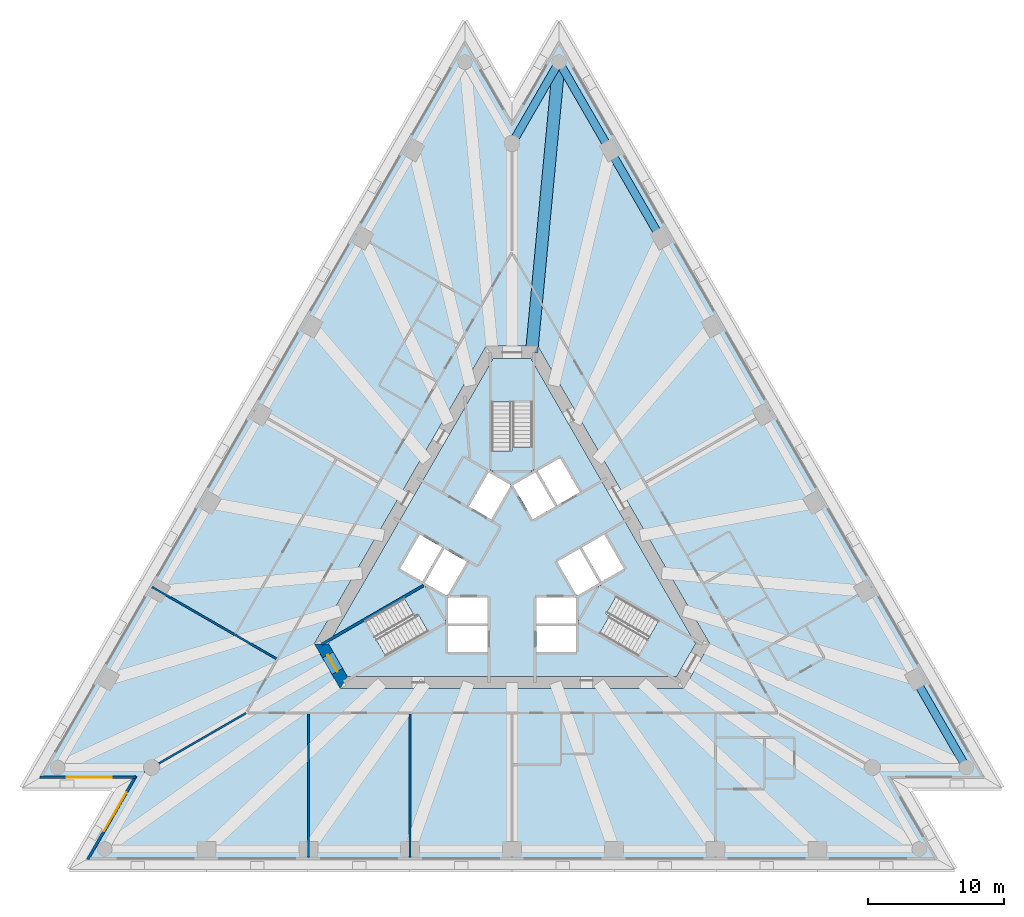
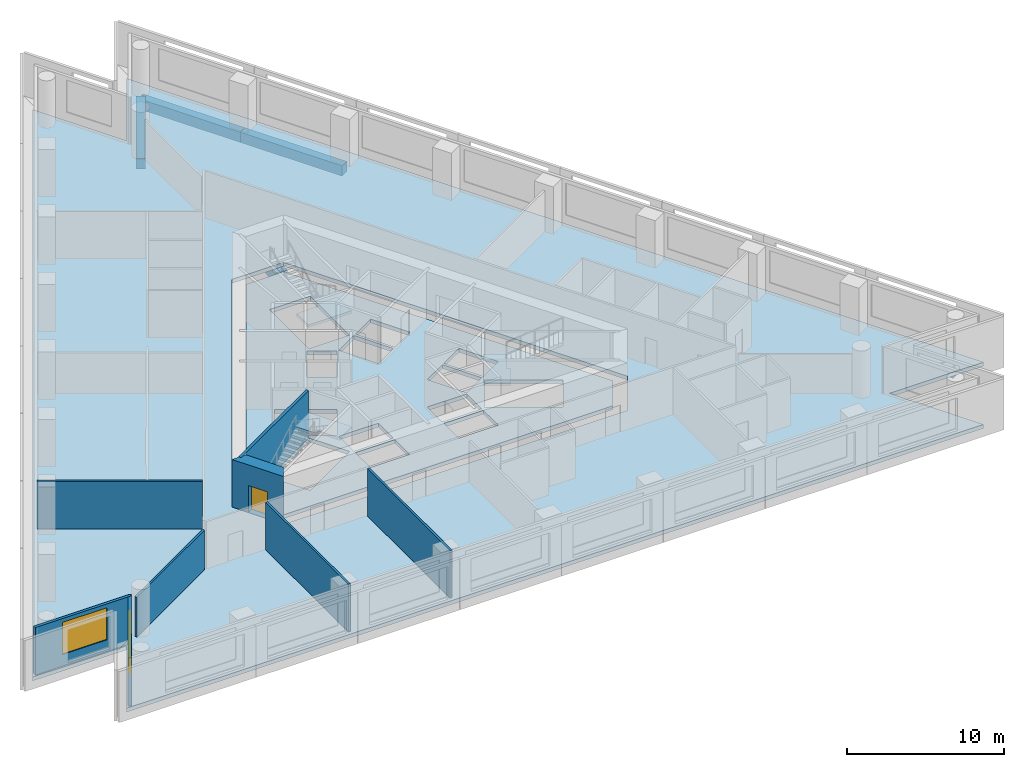
# One storey, part 2 of 9: 8 walls, 5 beams, 5 slabs, 2 windows, 1 door, 3 openings, 3 elements without a shape of their own.
"""IFC4 building model written with IfcOpenShell, lengths in metres."""

from ifc_helpers import new_model, si_unit, direction, frame, frame_2d, origin, origin_2d, place, context, subcontext, project, spatial, polyline, rectangle, outline, extrude, material, layer, layer_set, layer_usage, material_profile, profile_set, type_object, element, fill, aggregate, save


model = new_model("IFC4")

# Units and contexts
model_context = context("Model", 3, precision=1e-05, world=origin(), true_north=direction((0.0, 1.0)))
body_context = subcontext(model_context, "Body", "Model", "MODEL_VIEW")
ifc_project = project(units=[si_unit("LENGTHUNIT", "METRE"), si_unit("AREAUNIT", "SQUARE_METRE"), si_unit("VOLUMEUNIT", "CUBIC_METRE"), si_unit("PLANEANGLEUNIT", "RADIAN"), si_unit("MASSUNIT", "GRAM", prefix="KILO")], contexts=[model_context])

# Site, building, storey
site_placement = place(None, origin())
site = spatial("IfcSite", under=ifc_project, at=site_placement, CompositionType="ELEMENT")
building_placement = place(site_placement, origin())
building = spatial("IfcBuilding", under=site, at=building_placement, Name="Triada Interchange Tower", CompositionType="ELEMENT")
storey_placement = place(building_placement, frame((0.0, 0.0, 47.300048828125)))
storey = spatial("IfcBuildingStorey", under=building, at=storey_placement, Name="L09", CompositionType="ELEMENT", Elevation=47.300048828125)

# Beams
ifc_material_1 = material(Name="Concrete C50/60", Category="concrete")
ifc_material_profile_1 = material_profile(ifc_material_1, rectangle(XDim=0.89990234375, YDim=0.85009765625, at=origin_2d()), Name="RC 900x850")
ifc_profile_set_1 = profile_set([ifc_material_profile_1], Name="Concrete C50/60")
beam_type_1 = type_object("IfcBeamType", Name="Radial band beam A RC 900x850", PredefinedType="BEAM", material=ifc_profile_set_1)
beam_1_placement = place(storey_placement, frame((3.4619140625, 36.617919921875, -0.72509765625), z_axis=(-0.09411553587, -0.995561281844, 0.0), x_axis=(0.995561281844, -0.09411553587, 0.0)))
element("IfcBeam", 1, at=beam_1_placement, inside=storey, type_object=beam_type_1, Name="Radial band beam BA29 L09", PredefinedType="BEAM", context=body_context, shape_type="SweptSolid", body=[
    extrude(rectangle(XDim=0.89990234375, YDim=0.85009765625, at=origin_2d()), origin(), (0.0, 0.0, 1.0), 21.463134765625),
])
ifc_material_profile_2 = material_profile(ifc_material_1, rectangle(XDim=0.60009765625, YDim=0.800048828125, at=origin_2d()), Name="RC 600x800")
ifc_profile_set_2 = profile_set([ifc_material_profile_2], Name="Concrete C50/60")
beam_type_2 = type_object("IfcBeamType", Name="Spandrel beam A RC 600x800", PredefinedType="BEAM", material=ifc_profile_set_2)
beam_2_placement = place(storey_placement, frame((33.443115234375, -15.31103515625, -0.699951171875), z_axis=(-0.500048573981, 0.865997357767, 0.0), x_axis=(-0.865997357767, -0.500048573981, 0.0)))
element("IfcBeam", 2, at=beam_2_placement, inside=storey, type_object=beam_type_2, Name="Spandrel beam EA21 L09", PredefinedType="BEAM", context=body_context, shape_type="SweptSolid", body=[
    extrude(rectangle(XDim=0.60009765625, YDim=0.800048828125, at=origin_2d()), origin(), (0.0, 0.0, 1.0), 7.495361328125),
])
beam_3_placement = place(storey_placement, frame((10.95703125, 23.635986328125, -0.699951171875), z_axis=(-0.49995085413, 0.866053776307, 0.0), x_axis=(-0.866053776307, -0.49995085413, 0.0)))
element("IfcBeam", 3, at=beam_3_placement, inside=storey, type_object=beam_type_2, Name="Spandrel beam EA27 L09", PredefinedType="BEAM", context=body_context, shape_type="SweptSolid", body=[
    extrude(rectangle(XDim=0.60009765625, YDim=0.800048828125, at=origin_2d()), origin(), (0.0, 0.0, 1.0), 7.494873046875),
])
beam_4_placement = place(storey_placement, frame((7.2099609375, 30.126953125, -0.699951171875), z_axis=(-0.500048573981, 0.865997357767, 0.0), x_axis=(-0.865997357767, -0.500048573981, 0.0)))
element("IfcBeam", 4, at=beam_4_placement, inside=storey, type_object=beam_type_2, Name="Spandrel beam EA28 L09", PredefinedType="BEAM", context=body_context, shape_type="SweptSolid", body=[
    extrude(rectangle(XDim=0.60009765625, YDim=0.800048828125, at=origin_2d()), origin(), (0.0, 0.0, 1.0), 7.495361328125),
])
beam_5_placement = place(storey_placement, frame((3.4619140625, 36.617919921875, -0.699951171875), z_axis=(-0.50002260502, -0.866012352376, 0.0), x_axis=(0.866012352376, -0.50002260502, 0.0)))
element("IfcBeam", 5, at=beam_5_placement, inside=storey, type_object=beam_type_2, Name="Spandrel beam EA29 L09", PredefinedType="BEAM", context=body_context, shape_type="SweptSolid", body=[
    extrude(rectangle(XDim=0.60009765625, YDim=0.800048828125, at=origin_2d()), origin(), (0.0, 0.0, 1.0), 6.923583984375),
])

# Slabs
ifc_layer_1 = layer(ifc_material_1, 0.300048828125)
ifc_layer_set_1 = layer_set([ifc_layer_1], Name="Floor slab 300")
slab_type_1 = type_object("IfcSlabType", Name="Floor slab 300", PredefinedType="FLOOR", material=ifc_layer_set_1)
slab_1_placement = place(storey_placement, frame((0.0, 0.0, -0.300048828125)))
element("IfcSlab", 6, at=slab_1_placement, inside=storey, type_object=slab_type_1, Name="Floor slab L09", PredefinedType="FLOOR", context=body_context, shape_type="SweptSolid", body=[
    extrude(outline(polyline([(-3.4619140625, 38.41796875), (-35.001953125, -16.2109375), (-28.077880859375, -16.2109375), (-31.5400390625, -22.20703125), (31.5400390625, -22.20703125), (28.077880859375, -16.2109375), (35.001953125, -16.2109375), (3.4619140625, 38.41796875), (0.0, 32.422119140625), (-3.4619140625, 38.41796875)]), holes=[polyline([(1.905029296875, 15.699951171875), (-1.905029296875, 15.699951171875), (-14.549072265625, -6.199951171875), (-12.64404296875, -9.5), (12.64404296875, -9.5), (14.549072265625, -6.199951171875), (1.905029296875, 15.699951171875)])]), origin(), (0.0, 0.0, 1.0), 0.300048828125),
])
slab_2_placement = place(storey_placement, frame((0.0, 0.0, -0.300048828125)))
element("IfcSlab", 7, at=slab_2_placement, inside=storey, type_object=slab_type_1, Name="Core floor slab L09 1", PredefinedType="FLOOR", context=body_context, shape_type="SweptSolid", body=[
    extrude(outline(polyline([(13.510009765625, -6.199951171875), (12.1240234375, -8.60009765625), (-12.1240234375, -8.60009765625), (-13.510009765625, -6.199951171875), (-1.385986328125, 14.800048828125), (1.385986328125, 14.800048828125), (13.510009765625, -6.199951171875)]), holes=[polyline([(9.2958984375, -7.09912109375), (10.7958984375, -4.5009765625), (6.466064453125, -2.0009765625), (4.966064453125, -4.59912109375), (9.2958984375, -7.09912109375)]), polyline([(6.7890625, 1.841064453125), (5.14404296875, 0.89111328125), (6.593994140625, -1.6201171875), (8.239013671875, -0.669921875), (6.7890625, 1.841064453125)]), polyline([(4.969970703125, 0.791015625), (3.324951171875, -0.158935546875), (4.77490234375, -2.669921875), (6.419921875, -1.719970703125), (4.969970703125, 0.791015625)]), polyline([(1.89404296875, 6.52001953125), (3.343994140625, 4.009033203125), (4.989013671875, 4.958984375), (3.5390625, 7.469970703125), (1.89404296875, 6.52001953125)]), polyline([(1.800048828125, -4.89990234375), (1.800048828125, -6.800048828125), (4.699951171875, -6.800048828125), (4.699951171875, -4.89990234375), (1.800048828125, -4.89990234375)]), polyline([(1.800048828125, -2.800048828125), (1.800048828125, -4.031005859375), (1.800048828125, -4.699951171875), (4.699951171875, -4.699951171875), (4.699951171875, -2.800048828125), (1.800048828125, -2.800048828125)]), polyline([(1.52490234375, 2.958984375), (1.68408203125, 3.051025390625), (3.169921875, 3.908935546875), (1.719970703125, 6.419921875), (0.074951171875, 5.469970703125), (1.52490234375, 2.958984375)]), polyline([(1.5, 11.60009765625), (-1.5, 11.60009765625), (-1.5, 6.60009765625), (1.5, 6.60009765625), (1.5, 11.60009765625)]), polyline([(-0.074951171875, 5.469970703125), (-1.719970703125, 6.419921875), (-3.169921875, 3.908935546875), (-1.6298828125, 3.01904296875), (-1.52490234375, 2.958984375), (-0.074951171875, 5.469970703125)]), polyline([(-4.699951171875, -2.800048828125), (-4.699951171875, -4.699951171875), (-1.800048828125, -4.699951171875), (-1.800048828125, -4.031005859375), (-1.800048828125, -2.800048828125), (-4.699951171875, -2.800048828125)]), polyline([(-4.699951171875, -4.89990234375), (-4.699951171875, -6.800048828125), (-1.800048828125, -6.800048828125), (-1.800048828125, -4.89990234375), (-4.699951171875, -4.89990234375)]), polyline([(-4.77490234375, -2.669921875), (-3.324951171875, -0.158935546875), (-4.969970703125, 0.791015625), (-6.419921875, -1.719970703125), (-4.77490234375, -2.669921875)]), polyline([(-10.7958984375, -4.5009765625), (-9.2958984375, -7.09912109375), (-4.966064453125, -4.59912109375), (-6.466064453125, -2.0009765625), (-10.7958984375, -4.5009765625)]), polyline([(-6.593994140625, -1.6201171875), (-5.14404296875, 0.89111328125), (-6.7890625, 1.841064453125), (-8.239013671875, -0.669921875), (-6.593994140625, -1.6201171875)])]), origin(), (0.0, 0.0, 1.0), 0.300048828125),
])

# Stair, slab
ifc_material_2 = material(Name="Concrete C35/45", Category="concrete")
stair_type = type_object("IfcStairType", Name="HALF TURN STAIR 1400", PredefinedType="HALF_TURN_STAIR", material=ifc_material_2)
stair_1_placement = place(storey_placement, origin())
stair_1 = element("IfcStair", 8, at=stair_1_placement, inside=storey, type_object=stair_type, Name="Exit stair S09-1", PredefinedType="HALF_TURN_STAIR")
ifc_layer_2 = layer(ifc_material_2, 0.199951171875)
ifc_layer_set_2 = layer_set([ifc_layer_2], Name="STAIR LANDING 200")
slab_type_2 = type_object("IfcSlabType", Name="STAIR LANDING 200", PredefinedType="LANDING", material=ifc_layer_set_2)
slab_3_placement = place(storey_placement, frame((0.0, 0.0, 1.719970703125)))
slab_3 = element("IfcSlab", 9, at=slab_3_placement, type_object=slab_type_2, Name="S09-1 landing 1", PredefinedType="LANDING", context=body_context, shape_type="SweptSolid", body=[
    extrude(outline(polyline([(1.60009765625, 6.5), (1.60009765625, 8.300048828125), (0.0, 8.300048828125), (0.0, 8.0), (-1.60009765625, 8.0), (-1.60009765625, 6.5), (1.60009765625, 6.5)])), origin(), (0.0, 0.0, 1.0), 0.199951171875),
])
aggregate(stair_1, [slab_3])

stair_2_placement = place(storey_placement, origin())
stair_2 = element("IfcStair", 10, at=stair_2_placement, inside=storey, type_object=stair_type, Name="Exit stair S09-2", PredefinedType="HALF_TURN_STAIR")
slab_4_placement = place(storey_placement, frame((0.0, 0.0, 1.719970703125)))
slab_4 = element("IfcSlab", 11, at=slab_4_placement, type_object=slab_type_2, Name="S09-2 landing 1", PredefinedType="LANDING", context=body_context, shape_type="SweptSolid", body=[
    extrude(outline(polyline([(-6.428955078125, -1.864013671875), (-7.988037109375, -2.763916015625), (-7.18798828125, -4.14990234375), (-6.927978515625, -4.0), (-6.1279296875, -5.385986328125), (-4.8291015625, -4.635986328125), (-6.428955078125, -1.864013671875)])), origin(), (0.0, 0.0, 1.0), 0.199951171875),
])
aggregate(stair_2, [slab_4])

stair_3_placement = place(storey_placement, origin())
stair_3 = element("IfcStair", 12, at=stair_3_placement, inside=storey, type_object=stair_type, Name="Exit stair S09-3", PredefinedType="HALF_TURN_STAIR")
slab_5_placement = place(storey_placement, frame((0.0, 0.0, 1.719970703125)))
slab_5 = element("IfcSlab", 13, at=slab_5_placement, type_object=slab_type_2, Name="S09-3 landing 1", PredefinedType="LANDING", context=body_context, shape_type="SweptSolid", body=[
    extrude(outline(polyline([(4.8291015625, -4.635986328125), (6.387939453125, -5.535888671875), (7.18798828125, -4.14990234375), (6.927978515625, -4.0), (7.72802734375, -2.614013671875), (6.428955078125, -1.864013671875), (4.8291015625, -4.635986328125)])), origin(), (0.0, 0.0, 1.0), 0.199951171875),
])
aggregate(stair_3, [slab_5])

# Wall
ifc_material_3 = material(Name="Concrete C30/37", Category="concrete")
ifc_layer_3 = layer(ifc_material_3, 0.199951171875)
ifc_layer_set_3 = layer_set([ifc_layer_3], Name="CORE WALL 200 REI 240")
wall_type_1 = type_object("IfcWallType", Name="CORE WALL 200 REI 240", PredefinedType="SOLIDWALL", material=ifc_layer_set_3)
wall_1_placement = place(storey_placement, frame((-13.989990234375, -6.22900390625, 0.0), z_axis=(0.0, 0.0, 1.0), x_axis=(0.866060059011, 0.499939970583, 0.0)))
element("IfcWall", 14, at=wall_1_placement, inside=storey, type_object=wall_type_1, Name="Wall L09 75", PredefinedType="SOLIDWALL", context=body_context, shape_type="SweptSolid", body=[
    extrude(rectangle(XDim=8.61474609375, YDim=0.199951171875, at=frame_2d((4.307373046875, 0.0))), origin(), (0.0, 0.0, 1.0), 3.699951171875),
])

# Wall, opening, door
ifc_material_4 = material(Name="Concrete C70/85", Category="concrete")
ifc_layer_4 = layer(ifc_material_4, 0.89990234375)
ifc_layer_set_4 = layer_set([ifc_layer_4], Name="Core wall A 900")
wall_type_2 = type_object("IfcWallType", Name="Core wall A 900", PredefinedType="SHEAR", material=ifc_layer_set_4)
wall_2_placement = place(storey_placement, frame((-14.030029296875, -6.199951171875, -0.300048828125), z_axis=(0.0, 0.0, 1.0), x_axis=(0.500111984565, -0.865960739811, 0.0)))
wall_2 = element("IfcWall", 15, at=wall_2_placement, inside=storey, type_object=wall_type_2, Name="Core wall WA03 L09", PredefinedType="SHEAR", context=body_context, shape_type="SweptSolid", body=[
    extrude(outline(polyline([(-0.260009765625, -0.448974609375), (1.6455078125, -0.449462890625), (3.551025390625, -0.449951171875), (3.031982421875, 0.449951171875), (1.64599609375, 0.449951171875), (0.260009765625, 0.449951171875), (-0.260009765625, -0.448974609375)])), origin(), (0.0, 0.0, 1.0), 4.0),
])
opening_1_placement = place(wall_2_placement, frame((0.946044921875, 0.0, 0.300048828125)))
opening_1 = element("IfcOpeningElement", 16, at=opening_1_placement, cuts=wall_2, Name="Opening D09-37", PredefinedType="OPENING", context=body_context, shape_type="SweptSolid", body=[
    extrude(rectangle(XDim=1.39990234375, YDim=2.10009765625, at=frame_2d((0.699951171875, 1.050048828125))), frame((0.0, 0.4599609375, 0.0), z_axis=(0.0, -1.0, 0.0), x_axis=(1.0, 0.0, 0.0)), (0.0, 0.0, 1.0), 0.919921875),
])
ifc_material_5 = material(Name="Steel S235 door leaf", Category="steel")
door_type = type_object("IfcDoorType", Name="STAIR DOOR 1400 EI2 90-C5S200", OperationType="DOUBLE_DOOR_SINGLE_SWING", PredefinedType="DOOR", material=ifc_material_5)
door_placement = place(opening_1_placement, origin())
door = element("IfcDoor", 17, at=door_placement, inside=storey, type_object=door_type, Name="Door D09-37 L09", OperationType="DOUBLE_DOOR_SINGLE_SWING", OverallHeight=2.10009765625, OverallWidth=1.39990234375, PredefinedType="DOOR", context=body_context, shape_type="SweptSolid", body=[
    extrude(rectangle(XDim=1.39990234375, YDim=2.10009765625, at=frame_2d((0.699951171875, 1.050048828125))), frame((0.0, 0.02490234375, 0.0), z_axis=(0.0, -1.0, 0.0), x_axis=(1.0, 0.0, 0.0)), (0.0, 0.0, 1.0), 0.050048828125),
])
fill(opening_1, door)

# Wall, opening, window
ifc_material_6 = material(Name="Cement board")
ifc_layer_5 = layer(ifc_material_6, 0.02001953125, Name="Cement board cladding")
ifc_material_7 = material(Name="Sheathing board")
ifc_layer_6 = layer(ifc_material_7, 0.014892578125, Name="Sheathing board")
ifc_material_8 = material(Name="Mineral wool")
ifc_layer_7 = layer(ifc_material_8, 0.14990234375, Name="Mineral wool between steel studs")
ifc_material_9 = material(Name="Gypsum board")
ifc_layer_8 = layer(ifc_material_9, 0.014892578125, Name="Plasterboard lining")
ifc_layer_set_5 = layer_set([ifc_layer_5, ifc_layer_6, ifc_layer_7, ifc_layer_8], Name="External wall 200")
ifc_layer_usage = layer_usage(ifc_layer_set_5, "AXIS2", "POSITIVE", -0.10009765625)
wall_type_3 = type_object("IfcWallType", Name="External wall 200", PredefinedType="ELEMENTEDWALL", material=ifc_layer_set_5)
wall_3_placement = place(storey_placement, frame((-34.74609375, -16.010986328125, 0.0), z_axis=(0.0, 0.0, 1.0), x_axis=(1.0, 0.0, 0.0)))
wall_3 = element("IfcWall", 18, at=wall_3_placement, inside=storey, type_object=wall_type_3, material=ifc_layer_usage, Name="External wall L09 SW-1", PredefinedType="ELEMENTEDWALL", context=body_context, shape_type="SweptSolid", body=[
    extrude(rectangle(XDim=7.083984375, YDim=0.199951171875, at=frame_2d((3.5419921875, 0.0))), origin(), (0.0, 0.0, 1.0), 3.699951171875),
])
opening_2_placement = place(wall_3_placement, frame((1.989990234375, 0.0, 0.89990234375)))
opening_2 = element("IfcOpeningElement", 19, at=opening_2_placement, cuts=wall_3, Name="Opening WA09", PredefinedType="OPENING", context=body_context, shape_type="SweptSolid", body=[
    extrude(rectangle(XDim=3.300048828125, YDim=2.5, at=frame_2d((1.64990234375, 1.25))), frame((0.0, 0.10986328125, 0.0), z_axis=(0.0, -1.0, 0.0), x_axis=(1.0, 0.0, 0.0)), (0.0, 0.0, 1.0), 0.219970703125),
])
ifc_material_10 = material(Name="Double glazed aluminium window", Category="aluminium")
window_type = type_object("IfcWindowType", Name="Ribbon window A pocket", PartitioningType="SINGLE_PANEL", PredefinedType="WINDOW", material=ifc_material_10)
window_1_placement = place(opening_2_placement, origin())
window_1 = element("IfcWindow", 20, at=window_1_placement, inside=storey, type_object=window_type, Name="Window L09 SW-1 1", OverallHeight=2.5, OverallWidth=3.300048828125, PartitioningType="SINGLE_PANEL", PredefinedType="WINDOW", context=body_context, shape_type="SweptSolid", body=[
    extrude(rectangle(XDim=3.300048828125, YDim=2.5, at=frame_2d((1.64990234375, 1.25))), frame((0.0, 0.030029296875, 0.0), z_axis=(0.0, -1.0, 0.0), x_axis=(1.0, 0.0, 0.0)), (0.0, 0.0, 1.0), 0.06005859375),
])
fill(opening_2, window_1)

wall_4_placement = place(storey_placement, frame((-27.68701171875, -15.93310546875, 0.0), z_axis=(0.0, 0.0, 1.0), x_axis=(-0.499993928037, -0.866028909405, 0.0)))
wall_4 = element("IfcWall", 21, at=wall_4_placement, inside=storey, type_object=wall_type_3, material=ifc_layer_usage, Name="External wall L09 SW-2", PredefinedType="ELEMENTEDWALL", context=body_context, shape_type="SweptSolid", body=[
    extrude(rectangle(XDim=7.083984375, YDim=0.199951171875, at=frame_2d((3.5419921875, 0.0))), origin(), (0.0, 0.0, 1.0), 3.699951171875),
])
opening_3_placement = place(wall_4_placement, frame((1.389892578125, 0.0, 0.89990234375)))
opening_3 = element("IfcOpeningElement", 22, at=opening_3_placement, cuts=wall_4, Name="Opening WA10", PredefinedType="OPENING", context=body_context, shape_type="SweptSolid", body=[
    extrude(rectangle(XDim=3.300048828125, YDim=2.5, at=frame_2d((1.64990234375, 1.25))), frame((0.0, 0.10986328125, 0.0), z_axis=(0.0, -1.0, 0.0), x_axis=(1.0, 0.0, 0.0)), (0.0, 0.0, 1.0), 0.219970703125),
])
window_2_placement = place(opening_3_placement, origin())
window_2 = element("IfcWindow", 23, at=window_2_placement, inside=storey, type_object=window_type, Name="Window L09 SW-2 1", OverallHeight=2.5, OverallWidth=3.300048828125, PartitioningType="SINGLE_PANEL", PredefinedType="WINDOW", context=body_context, shape_type="SweptSolid", body=[
    extrude(rectangle(XDim=3.300048828125, YDim=2.5, at=frame_2d((1.64990234375, 1.25))), frame((0.0, 0.030029296875, 0.0), z_axis=(0.0, -1.0, 0.0), x_axis=(1.0, 0.0, 0.0)), (0.0, 0.0, 1.0), 0.06005859375),
])
fill(opening_3, window_2)

# Walls
ifc_material_11 = material(Name="Gypsum board partition")
ifc_layer_9 = layer(ifc_material_11, 0.14990234375)
ifc_layer_set_6 = layer_set([ifc_layer_9], Name="PARTITION 150 EI 180")
wall_type_4 = type_object("IfcWallType", Name="PARTITION 150 EI 180", PredefinedType="PARTITIONING", material=ifc_layer_set_6)
wall_5_placement = place(storey_placement, frame((-27.055908203125, -15.62109375, 0.0), z_axis=(0.0, 0.0, 1.0), x_axis=(0.866014334421, 0.50001917221, 0.0)))
element("IfcWall", 24, at=wall_5_placement, inside=storey, type_object=wall_type_4, Name="Wall L09 1", PredefinedType="PARTITIONING", context=body_context, shape_type="SweptSolid", body=[
    extrude(rectangle(XDim=8.641845703125, YDim=0.14990234375, at=frame_2d((4.32080078125, 0.0))), origin(), (0.0, 0.0, 1.0), 3.099853515625),
])
wall_6_placement = place(storey_placement, frame((-26.485107421875, -2.01904296875, 0.0), z_axis=(0.0, 0.0, 1.0), x_axis=(0.866027613664, -0.499996172356, 0.0)))
element("IfcWall", 25, at=wall_6_placement, inside=storey, type_object=wall_type_4, Name="Wall L09 3", PredefinedType="PARTITIONING", context=body_context, shape_type="SweptSolid", body=[
    extrude(rectangle(XDim=10.5517578125, YDim=0.14990234375, at=frame_2d((5.27587890625, 0.0))), origin(), (0.0, 0.0, 1.0), 3.699951171875),
])
for number, where, z_axis, x_axis, name in (
    (26, (-14.989990234375, -21.927001953125, 0.0), (0.0, 0.0, 1.0), (0.0, 1.0, 0.0), "Wall L09 8"),
    (27, (-7.4951171875, -21.927001953125, 0.0), (0.0, 0.0, 1.0), (0.0, 1.0, 0.0), "Wall L09 13"),
):
    element("IfcWall", number, at=place(storey_placement, frame(where, z_axis=z_axis, x_axis=x_axis)), inside=storey, type_object=wall_type_4, Name=name, PredefinedType="PARTITIONING", context=body_context, shape_type="SweptSolid", body=[
        extrude(rectangle(XDim=10.552001953125, YDim=0.14990234375, at=frame_2d((5.27587890625, 0.0))), origin(), (0.0, 0.0, 1.0), 3.699951171875),
    ])

save(model, "model.ifc")
